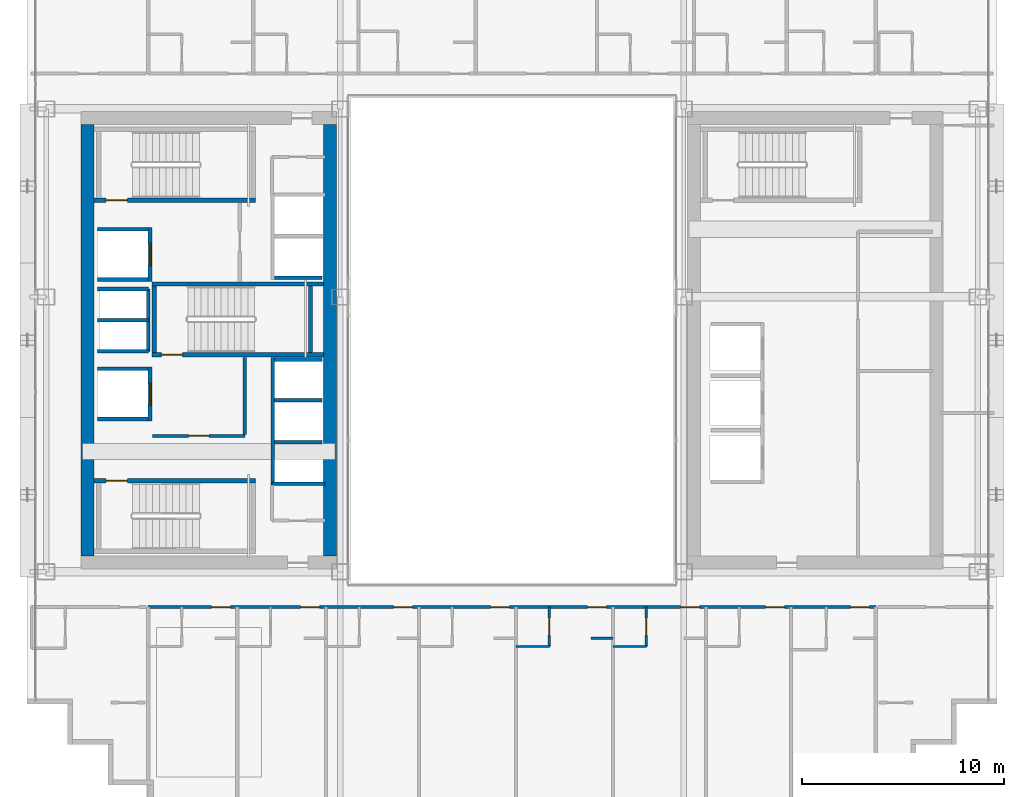
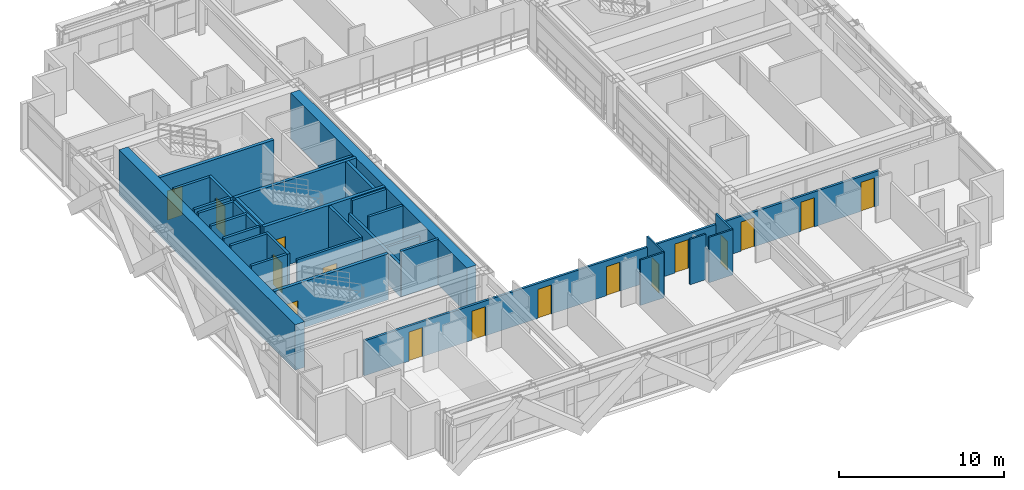
# One storey, part 32 of 39: 32 walls, 16 doors, 16 openings.
"""IFC4 building model written with IfcOpenShell, lengths in metres."""

from ifc_helpers import new_model, si_unit, direction, frame, frame_2d, origin, place, context, subcontext, project, spatial, rectangle, extrude, source, transform, mapped, material, layer, layer_set, type_object, element, fill, save


model = new_model("IFC4")

# Units and contexts
model_context = context("Model", 3, precision=1e-05, world=origin(), true_north=direction((0.0, 1.0)))
body_context = subcontext(model_context, "Body", "Model", "MODEL_VIEW")
ifc_project = project(units=[si_unit("LENGTHUNIT", "METRE"), si_unit("AREAUNIT", "SQUARE_METRE"), si_unit("VOLUMEUNIT", "CUBIC_METRE"), si_unit("PLANEANGLEUNIT", "RADIAN"), si_unit("MASSUNIT", "GRAM", prefix="KILO")], contexts=[model_context])

# Site, building, storey
site_placement = place(None, origin())
site = spatial("IfcSite", under=ifc_project, at=site_placement, CompositionType="ELEMENT")
building_placement = place(site_placement, origin())
building = spatial("IfcBuilding", under=site, at=building_placement, Name="Ocotamira Hotel", CompositionType="ELEMENT")
storey_placement = place(building_placement, frame((0.0, 0.0, 104.39990234375)))
storey = spatial("IfcBuildingStorey", under=building, at=storey_placement, Name="L25", CompositionType="ELEMENT", Elevation=104.39990234375)

# Walls
ifc_material_1 = material(Name="Concrete C60/75", Category="concrete")
ifc_layer_1 = layer(ifc_material_1, 0.64990234375)
ifc_layer_set_1 = layer_set([ifc_layer_1], Name="Concrete C60/75")
wall_type_1 = type_object("IfcWallType", Name="WL-CORE-650", PredefinedType="SHEAR", material=ifc_layer_set_1)
for number, where, z_axis, x_axis, name in (
    (1, (11.0, 15.324951171875, 0.0), (0.0, 0.0, 1.0), (0.0, 1.0, 0.0), "L25 Shear Core Wall WCORE-W"),
    (2, (23.0, 15.324951171875, 0.0), (0.0, 0.0, 1.0), (0.0, 1.0, 0.0), "L25 Shear Core Wall WCORE-E"),
):
    element("IfcWall", number, at=place(storey_placement, frame(where, z_axis=z_axis, x_axis=x_axis)), inside=storey, type_object=wall_type_1, Name=name, PredefinedType="SHEAR", context=body_context, shape_type="SweptSolid", body=[
        extrude(rectangle(XDim=21.35009765625, YDim=0.64990234375, at=frame_2d((10.675048828125, 0.0))), origin(), (0.0, 0.0, 1.0), 3.360107421875),
    ])

# Wall, opening, door
ifc_material_2 = material(Name="Acoustic double-layer fire gypsum board partition", Category="gypsum")
ifc_layer_2 = layer(ifc_material_2, 0.159912109375)
ifc_layer_set_2 = layer_set([ifc_layer_2], Name="Acoustic double-layer fire gypsum board partition")
wall_type_2 = type_object("IfcWallType", Name="WL-FIRE-160", PredefinedType="PARTITIONING", material=ifc_layer_set_2)
wall_1_placement = place(storey_placement, frame((14.199951171875, 21.27001953125, 0.0), z_axis=(0.0, 0.0, 1.0), x_axis=(1.0, 0.0, 0.0)))
wall_1 = element("IfcWall", 3, at=wall_1_placement, inside=storey, type_object=wall_type_2, Name="L25 Interior Wall PW-L25-FSAE1-S", PredefinedType="PARTITIONING", context=body_context, shape_type="SweptSolid", body=[
    extrude(rectangle(XDim=4.580078125, YDim=0.159912109375, at=frame_2d((2.2900390625, 0.0))), origin(), (0.0, 0.0, 1.0), 3.360107421875),
])
opening_1_placement = place(wall_1_placement, frame((1.800048828125, 0.0, 0.0)))
opening_1 = element("IfcOpeningElement", 4, at=opening_1_placement, cuts=wall_1, Name="Opening D-FR2", PredefinedType="OPENING", context=body_context, shape_type="SweptSolid", body=[
    extrude(rectangle(XDim=1.0, YDim=2.14990234375, at=frame_2d((0.5, 1.074951171875))), frame((0.0, 0.08984375, 0.0), z_axis=(0.0, -1.0, 0.0), x_axis=(1.0, 0.0, 0.0)), (0.0, 0.0, 1.0), 0.179931640625),
])
ifc_material_3 = material(Name="Fire-rated acoustic timber-veneer door", Category="wood")
door_type_1 = type_object("IfcDoorType", Name="DR-FIRE-1000", OperationType="NOTDEFINED", PredefinedType="DOOR", material=ifc_material_3)
shared_shape_1 = source(origin(), body_context, "Body", "SweptSolid", [
    extrude(rectangle(XDim=1.0, YDim=2.14990234375, at=frame_2d((0.5, 1.074951171875))), frame((0.0, 0.02490234375, 0.0), z_axis=(0.0, -1.0, 0.0), x_axis=(1.0, 0.0, 0.0)), (0.0, 0.0, 1.0), 0.050048828125),
])
door_1_placement = place(opening_1_placement, origin())
door_1 = element("IfcDoor", 5, at=door_1_placement, inside=storey, type_object=door_type_1, Name="L25 Door ID-L25-FSAE1-D [ID-L25-FSAE1-D]", OperationType="SINGLE_SWING_LEFT", OverallHeight=2.14990234375, OverallWidth=1.0, PredefinedType="DOOR", context=body_context, shape_type="MappedRepresentation", body=[
    mapped(shared_shape_1, transform((0.0, 0.0, 0.0), scale=1.0)),
])
fill(opening_1, door_1)

# Wall
wall_2_placement = place(storey_placement, frame((18.780029296875, 21.35009765625, 0.0), z_axis=(0.0, 0.0, 1.0), x_axis=(0.0, 1.0, 0.0)))
element("IfcWall", 6, at=wall_2_placement, inside=storey, type_object=wall_type_2, Name="L25 Interior Wall PW-L25-FSAE1-E", PredefinedType="PARTITIONING", context=body_context, shape_type="SweptSolid", body=[
    extrude(rectangle(XDim=3.809814453125, YDim=0.159912109375, at=frame_2d((1.90478515625, 0.0))), origin(), (0.0, 0.0, 1.0), 3.360107421875),
])

# Wall, openings, doors
wall_3_placement = place(storey_placement, frame((14.0, 12.800048828125, 0.0), z_axis=(0.0, 0.0, 1.0), x_axis=(1.0, 0.0, 0.0)))
wall_3 = element("IfcWall", 7, at=wall_3_placement, inside=storey, type_object=wall_type_2, Name="L25 Interior Wall PW-L25-Z2AS-CORRW", PredefinedType="PARTITIONING", context=body_context, shape_type="SweptSolid", body=[
    extrude(rectangle(XDim=36.0, YDim=0.159912109375, at=frame_2d((18.0, 0.0))), origin(), (0.0, 0.0, 1.0), 2.5810546875),
])
opening_2_placement = place(wall_3_placement, frame((3.139892578125, 0.0, 0.0)))
opening_2 = element("IfcOpeningElement", 8, at=opening_2_placement, cuts=wall_3, Name="Opening D-GR1", PredefinedType="OPENING", context=body_context, shape_type="SweptSolid", body=[
    extrude(rectangle(XDim=0.93994140625, YDim=2.14990234375, at=frame_2d((0.469970703125, 1.074951171875))), frame((0.0, 0.08984375, 0.0), z_axis=(0.0, -1.0, 0.0), x_axis=(1.0, 0.0, 0.0)), (0.0, 0.0, 1.0), 0.179931640625),
])
opening_3_placement = place(wall_3_placement, frame((7.5400390625, 0.0, 0.0)))
opening_3 = element("IfcOpeningElement", 9, at=opening_3_placement, cuts=wall_3, Name="Opening D-GR1", PredefinedType="OPENING", context=body_context, shape_type="SweptSolid", body=[
    extrude(rectangle(XDim=0.93994140625, YDim=2.14990234375, at=frame_2d((0.469970703125, 1.074951171875))), frame((0.0, 0.08984375, 0.0), z_axis=(0.0, -1.0, 0.0), x_axis=(1.0, 0.0, 0.0)), (0.0, 0.0, 1.0), 0.179931640625),
])
opening_4_placement = place(wall_3_placement, frame((12.139892578125, 0.0, 0.0)))
opening_4 = element("IfcOpeningElement", 10, at=opening_4_placement, cuts=wall_3, Name="Opening D-GR1", PredefinedType="OPENING", context=body_context, shape_type="SweptSolid", body=[
    extrude(rectangle(XDim=0.93994140625, YDim=2.14990234375, at=frame_2d((0.469970703125, 1.074951171875))), frame((0.0, 0.08984375, 0.0), z_axis=(0.0, -1.0, 0.0), x_axis=(1.0, 0.0, 0.0)), (0.0, 0.0, 1.0), 0.179931640625),
])
opening_5_placement = place(wall_3_placement, frame((16.93994140625, 0.0, 0.0)))
opening_5 = element("IfcOpeningElement", 11, at=opening_5_placement, cuts=wall_3, Name="Opening D-GR1", PredefinedType="OPENING", context=body_context, shape_type="SweptSolid", body=[
    extrude(rectangle(XDim=0.93994140625, YDim=2.14990234375, at=frame_2d((0.469970703125, 1.074951171875))), frame((0.0, 0.08984375, 0.0), z_axis=(0.0, -1.0, 0.0), x_axis=(1.0, 0.0, 0.0)), (0.0, 0.0, 1.0), 0.179931640625),
])
opening_6_placement = place(wall_3_placement, frame((21.739990234375, 0.0, 0.0)))
opening_6 = element("IfcOpeningElement", 12, at=opening_6_placement, cuts=wall_3, Name="Opening D-GR1", PredefinedType="OPENING", context=body_context, shape_type="SweptSolid", body=[
    extrude(rectangle(XDim=0.93994140625, YDim=2.14990234375, at=frame_2d((0.469970703125, 1.074951171875))), frame((0.0, 0.08984375, 0.0), z_axis=(0.0, -1.0, 0.0), x_axis=(1.0, 0.0, 0.0)), (0.0, 0.0, 1.0), 0.179931640625),
])
opening_7_placement = place(wall_3_placement, frame((26.340087890625, 0.0, 0.0)))
opening_7 = element("IfcOpeningElement", 13, at=opening_7_placement, cuts=wall_3, Name="Opening D-GR1", PredefinedType="OPENING", context=body_context, shape_type="SweptSolid", body=[
    extrude(rectangle(XDim=0.93994140625, YDim=2.14990234375, at=frame_2d((0.469970703125, 1.074951171875))), frame((0.0, 0.08984375, 0.0), z_axis=(0.0, -1.0, 0.0), x_axis=(1.0, 0.0, 0.0)), (0.0, 0.0, 1.0), 0.179931640625),
])
opening_8_placement = place(wall_3_placement, frame((30.5400390625, 0.0, 0.0)))
opening_8 = element("IfcOpeningElement", 14, at=opening_8_placement, cuts=wall_3, Name="Opening D-GR1", PredefinedType="OPENING", context=body_context, shape_type="SweptSolid", body=[
    extrude(rectangle(XDim=0.93994140625, YDim=2.14990234375, at=frame_2d((0.469970703125, 1.074951171875))), frame((0.0, 0.08984375, 0.0), z_axis=(0.0, -1.0, 0.0), x_axis=(1.0, 0.0, 0.0)), (0.0, 0.0, 1.0), 0.179931640625),
])
opening_9_placement = place(wall_3_placement, frame((34.739990234375, 0.0, 0.0)))
opening_9 = element("IfcOpeningElement", 15, at=opening_9_placement, cuts=wall_3, Name="Opening D-GR1", PredefinedType="OPENING", context=body_context, shape_type="SweptSolid", body=[
    extrude(rectangle(XDim=0.93994140625, YDim=2.14990234375, at=frame_2d((0.469970703125, 1.074951171875))), frame((0.0, 0.08984375, 0.0), z_axis=(0.0, -1.0, 0.0), x_axis=(1.0, 0.0, 0.0)), (0.0, 0.0, 1.0), 0.179931640625),
])
ifc_material_4 = material(Name="Solid-core walnut suite entrance fire door", Category="wood")
door_type_2 = type_object("IfcDoorType", Name="DR-GUEST-940", OperationType="NOTDEFINED", PredefinedType="DOOR", material=ifc_material_4)
shared_shape_2 = source(origin(), body_context, "Body", "SweptSolid", [
    extrude(rectangle(XDim=0.93994140625, YDim=2.14990234375, at=frame_2d((0.469970703125, 1.074951171875))), frame((0.0, 0.02490234375, 0.0), z_axis=(0.0, -1.0, 0.0), x_axis=(1.0, 0.0, 0.0)), (0.0, 0.0, 1.0), 0.050048828125),
])
door_2_placement = place(opening_2_placement, origin())
door_2 = element("IfcDoor", 16, at=door_2_placement, inside=storey, type_object=door_type_2, Name="L25 Door ID-L25-Z2AS-RMD1 [ID-L25-Z2AS-RMD1]", OperationType="SINGLE_SWING_LEFT", OverallHeight=2.14990234375, OverallWidth=0.93994140625, PredefinedType="DOOR", context=body_context, shape_type="MappedRepresentation", body=[
    mapped(shared_shape_2, transform((0.0, 0.0, 0.0), scale=1.0)),
])
fill(opening_2, door_2)
door_3_placement = place(opening_3_placement, origin())
door_3 = element("IfcDoor", 17, at=door_3_placement, inside=storey, type_object=door_type_2, Name="L25 Door ID-L25-Z2AS-RMD2 [ID-L25-Z2AS-RMD2]", OperationType="SINGLE_SWING_RIGHT", OverallHeight=2.14990234375, OverallWidth=0.93994140625, PredefinedType="DOOR", context=body_context, shape_type="MappedRepresentation", body=[
    mapped(shared_shape_2, transform((0.0, 0.0, 0.0), scale=1.0)),
])
fill(opening_3, door_3)
door_4_placement = place(opening_4_placement, origin())
door_4 = element("IfcDoor", 18, at=door_4_placement, inside=storey, type_object=door_type_2, Name="L25 Door ID-L25-Z2AS-RMD3 [ID-L25-Z2AS-RMD3]", OperationType="SINGLE_SWING_LEFT", OverallHeight=2.14990234375, OverallWidth=0.93994140625, PredefinedType="DOOR", context=body_context, shape_type="MappedRepresentation", body=[
    mapped(shared_shape_2, transform((0.0, 0.0, 0.0), scale=1.0)),
])
fill(opening_4, door_4)
door_5_placement = place(opening_5_placement, origin())
door_5 = element("IfcDoor", 19, at=door_5_placement, inside=storey, type_object=door_type_2, Name="L25 Door ID-L25-Z2AS-RMD4 [ID-L25-Z2AS-RMD4]", OperationType="SINGLE_SWING_RIGHT", OverallHeight=2.14990234375, OverallWidth=0.93994140625, PredefinedType="DOOR", context=body_context, shape_type="MappedRepresentation", body=[
    mapped(shared_shape_2, transform((0.0, 0.0, 0.0), scale=1.0)),
])
fill(opening_5, door_5)
door_6_placement = place(opening_6_placement, origin())
door_6 = element("IfcDoor", 20, at=door_6_placement, inside=storey, type_object=door_type_2, Name="L25 Door ID-L25-Z2AS-RMD5 [ID-L25-Z2AS-RMD5]", OperationType="SINGLE_SWING_LEFT", OverallHeight=2.14990234375, OverallWidth=0.93994140625, PredefinedType="DOOR", context=body_context, shape_type="MappedRepresentation", body=[
    mapped(shared_shape_2, transform((0.0, 0.0, 0.0), scale=1.0)),
])
fill(opening_6, door_6)
door_7_placement = place(opening_7_placement, origin())
door_7 = element("IfcDoor", 21, at=door_7_placement, inside=storey, type_object=door_type_2, Name="L25 Door ID-L25-Z2AS-RMD6 [ID-L25-Z2AS-RMD6]", OperationType="SINGLE_SWING_RIGHT", OverallHeight=2.14990234375, OverallWidth=0.93994140625, PredefinedType="DOOR", context=body_context, shape_type="MappedRepresentation", body=[
    mapped(shared_shape_2, transform((0.0, 0.0, 0.0), scale=1.0)),
])
fill(opening_7, door_7)
door_8_placement = place(opening_8_placement, origin())
door_8 = element("IfcDoor", 22, at=door_8_placement, inside=storey, type_object=door_type_2, Name="L25 Door ID-L25-Z2AS-RMD7 [ID-L25-Z2AS-RMD7]", OperationType="SINGLE_SWING_LEFT", OverallHeight=2.14990234375, OverallWidth=0.93994140625, PredefinedType="DOOR", context=body_context, shape_type="MappedRepresentation", body=[
    mapped(shared_shape_2, transform((0.0, 0.0, 0.0), scale=1.0)),
])
fill(opening_8, door_8)
door_9_placement = place(opening_9_placement, origin())
door_9 = element("IfcDoor", 23, at=door_9_placement, inside=storey, type_object=door_type_2, Name="L25 Door ID-L25-Z2AS-RMD8 [ID-L25-Z2AS-RMD8]", OperationType="SINGLE_SWING_RIGHT", OverallHeight=2.14990234375, OverallWidth=0.93994140625, PredefinedType="DOOR", context=body_context, shape_type="MappedRepresentation", body=[
    mapped(shared_shape_2, transform((0.0, 0.0, 0.0), scale=1.0)),
])
fill(opening_9, door_9)

# Wall, opening, door
ifc_material_5 = material(Name="Moisture-resistant en-suite tile and gypsum partition", Category="gypsum")
ifc_layer_3 = layer(ifc_material_5, 0.1201171875)
ifc_layer_set_3 = layer_set([ifc_layer_3], Name="Moisture-resistant en-suite tile and gypsum partition")
wall_type_3 = type_object("IfcWallType", Name="WL-PART-120", PredefinedType="PARTITIONING", material=ifc_layer_set_3)
wall_4_placement = place(storey_placement, frame((33.85009765625, 10.85009765625, 0.0), z_axis=(0.0, 0.0, 1.0), x_axis=(0.0, 1.0, 0.0)))
wall_4 = element("IfcWall", 24, at=wall_4_placement, inside=storey, type_object=wall_type_3, Name="L25 Interior Wall PW-L25-Z2AS-BAE5", PredefinedType="PARTITIONING", context=body_context, shape_type="SweptSolid", body=[
    extrude(rectangle(XDim=1.949951171875, YDim=0.1201171875, at=frame_2d((0.97509765625, 0.0))), origin(), (0.0, 0.0, 1.0), 3.360107421875),
])
opening_10_placement = place(wall_4_placement, frame((0.544921875, 0.0, 0.0)))
opening_10 = element("IfcOpeningElement", 25, at=opening_10_placement, cuts=wall_4, Name="Opening D-BA1", PredefinedType="OPENING", context=body_context, shape_type="SweptSolid", body=[
    extrude(rectangle(XDim=0.860107421875, YDim=2.10009765625, at=frame_2d((0.43017578125, 1.050048828125))), frame((0.0, 0.070068359375, 0.0), z_axis=(0.0, -1.0, 0.0), x_axis=(1.0, 0.0, 0.0)), (0.0, 0.0, 1.0), 0.14013671875),
])
ifc_material_6 = material(Name="Moisture-sealed en-suite timber door", Category="wood")
door_type_3 = type_object("IfcDoorType", Name="DR-BATH-860", OperationType="NOTDEFINED", PredefinedType="DOOR", material=ifc_material_6)
shared_shape_3 = source(origin(), body_context, "Body", "SweptSolid", [
    extrude(rectangle(XDim=0.860107421875, YDim=2.10009765625, at=frame_2d((0.43017578125, 1.050048828125))), frame((0.0, 0.02490234375, 0.0), z_axis=(0.0, -1.0, 0.0), x_axis=(1.0, 0.0, 0.0)), (0.0, 0.0, 1.0), 0.050048828125),
])
door_10_placement = place(opening_10_placement, origin())
door_10 = element("IfcDoor", 26, at=door_10_placement, inside=storey, type_object=door_type_3, Name="L25 Door ID-L25-Z2AS-BAD5 [ID-L25-Z2AS-BAD5]", OperationType="SINGLE_SWING_RIGHT", OverallHeight=2.10009765625, OverallWidth=0.860107421875, PredefinedType="DOOR", context=body_context, shape_type="MappedRepresentation", body=[
    mapped(shared_shape_3, transform((0.0, 0.0, 0.0), scale=1.0)),
])
fill(opening_10, door_10)

# Walls
wall_5_placement = place(storey_placement, frame((32.199951171875, 10.85009765625, 0.0), z_axis=(0.0, 0.0, 1.0), x_axis=(1.0, 0.0, 0.0)))
element("IfcWall", 27, at=wall_5_placement, inside=storey, type_object=wall_type_3, Name="L25 Interior Wall PW-L25-Z2AS-BAS5", PredefinedType="PARTITIONING", context=body_context, shape_type="SweptSolid", body=[
    extrude(rectangle(XDim=1.650146484375, YDim=0.1201171875, at=frame_2d((0.8251953125, 0.0))), origin(), (0.0, 0.0, 1.0), 3.360107421875),
])
wall_6_placement = place(storey_placement, frame((35.89990234375, 11.25, 0.0), z_axis=(0.0, 0.0, 1.0), x_axis=(1.0, 0.0, 0.0)))
element("IfcWall", 28, at=wall_6_placement, inside=storey, type_object=wall_type_3, Name="L25 Interior Wall PW-L25-Z2AS-DRN5", PredefinedType="PARTITIONING", context=body_context, shape_type="SweptSolid", body=[
    extrude(rectangle(XDim=1.10009765625, YDim=0.1201171875, at=frame_2d((0.550048828125, 0.0))), origin(), (0.0, 0.0, 1.0), 3.360107421875),
])

# Wall, opening, door
wall_7_placement = place(storey_placement, frame((38.64990234375, 10.85009765625, 0.0), z_axis=(0.0, 0.0, 1.0), x_axis=(0.0, 1.0, 0.0)))
wall_7 = element("IfcWall", 29, at=wall_7_placement, inside=storey, type_object=wall_type_3, Name="L25 Interior Wall PW-L25-Z2AS-BAE6", PredefinedType="PARTITIONING", context=body_context, shape_type="SweptSolid", body=[
    extrude(rectangle(XDim=1.949951171875, YDim=0.1201171875, at=frame_2d((0.97509765625, 0.0))), origin(), (0.0, 0.0, 1.0), 3.360107421875),
])
opening_11_placement = place(wall_7_placement, frame((0.544921875, 0.0, 0.0)))
opening_11 = element("IfcOpeningElement", 30, at=opening_11_placement, cuts=wall_7, Name="Opening D-BA1", PredefinedType="OPENING", context=body_context, shape_type="SweptSolid", body=[
    extrude(rectangle(XDim=0.860107421875, YDim=2.10009765625, at=frame_2d((0.43017578125, 1.050048828125))), frame((0.0, 0.070068359375, 0.0), z_axis=(0.0, -1.0, 0.0), x_axis=(1.0, 0.0, 0.0)), (0.0, 0.0, 1.0), 0.14013671875),
])
door_11_placement = place(opening_11_placement, origin())
door_11 = element("IfcDoor", 31, at=door_11_placement, inside=storey, type_object=door_type_3, Name="L25 Door ID-L25-Z2AS-BAD6 [ID-L25-Z2AS-BAD6]", OperationType="SINGLE_SWING_LEFT", OverallHeight=2.10009765625, OverallWidth=0.860107421875, PredefinedType="DOOR", context=body_context, shape_type="MappedRepresentation", body=[
    mapped(shared_shape_3, transform((0.0, 0.0, 0.0), scale=1.0)),
])
fill(opening_11, door_11)

# Walls
wall_8_placement = place(storey_placement, frame((37.0, 10.85009765625, 0.0), z_axis=(0.0, 0.0, 1.0), x_axis=(1.0, 0.0, 0.0)))
element("IfcWall", 32, at=wall_8_placement, inside=storey, type_object=wall_type_3, Name="L25 Interior Wall PW-L25-Z2AS-BAS6", PredefinedType="PARTITIONING", context=body_context, shape_type="SweptSolid", body=[
    extrude(rectangle(XDim=1.64990234375, YDim=0.1201171875, at=frame_2d((0.824951171875, 0.0))), origin(), (0.0, 0.0, 1.0), 3.360107421875),
])
ifc_material_7 = material(Name="Fire-rated gypsum shaftliner board assembly", Category="gypsum")
ifc_layer_4 = layer(ifc_material_7, 0.179931640625)
ifc_layer_set_4 = layer_set([ifc_layer_4], Name="Fire-rated gypsum shaftliner board assembly")
wall_type_4 = type_object("IfcWallType", Name="WL-SHAFT-180", PredefinedType="SOLIDWALL", material=ifc_layer_set_4)
wall_9_placement = place(storey_placement, frame((20.159912109375, 18.820068359375, 0.0), z_axis=(0.0, 0.0, 1.0), x_axis=(0.0, 1.0, 0.0)))
element("IfcWall", 33, at=wall_9_placement, inside=storey, type_object=wall_type_4, Name="L25 Interior Wall PW-L25-LFW-BANK-high-F", PredefinedType="SOLIDWALL", context=body_context, shape_type="SweptSolid", body=[
    extrude(rectangle(XDim=6.31982421875, YDim=0.179931640625, at=frame_2d((3.159912109375, 0.0))), origin(), (0.0, 0.0, 1.0), 2.360107421875),
])
wall_10_placement = place(storey_placement, frame((20.1201171875, 18.909912109375, 0.0), z_axis=(0.0, 0.0, 1.0), x_axis=(1.0, 0.0, 0.0)))
element("IfcWall", 34, at=wall_10_placement, inside=storey, type_object=wall_type_4, Name="L25 Interior Wall PW-L25-LFW-BANK-high-S", PredefinedType="SOLIDWALL", context=body_context, shape_type="SweptSolid", body=[
    extrude(rectangle(XDim=2.6298828125, YDim=0.179931640625, at=frame_2d((1.31494140625, 0.0))), origin(), (0.0, 0.0, 1.0), 3.360107421875),
])
wall_11_placement = place(storey_placement, frame((20.25, 25.050048828125, 0.0), z_axis=(0.0, 0.0, 1.0), x_axis=(1.0, 0.0, 0.0)))
element("IfcWall", 35, at=wall_11_placement, inside=storey, type_object=wall_type_4, Name="L25 Interior Wall PW-L25-LFW-BANK-high-N", PredefinedType="SOLIDWALL", context=body_context, shape_type="SweptSolid", body=[
    extrude(rectangle(XDim=2.360107421875, YDim=0.179931640625, at=frame_2d((1.18017578125, 0.0))), origin(), (0.0, 0.0, 1.0), 3.360107421875),
])
wall_12_placement = place(storey_placement, frame((20.25, 20.965087890625, 0.0), z_axis=(0.0, 0.0, 1.0), x_axis=(1.0, 0.0, 0.0)))
element("IfcWall", 36, at=wall_12_placement, inside=storey, type_object=wall_type_4, Name="L25 Interior Wall PW-L25-LFW-DIV-LF-P7", PredefinedType="SOLIDWALL", context=body_context, shape_type="SweptSolid", body=[
    extrude(rectangle(XDim=2.360107421875, YDim=0.179931640625, at=frame_2d((1.18017578125, 0.0))), origin(), (0.0, 0.0, 1.0), 2.360107421875),
])
for number, where, z_axis, x_axis, name in (
    (37, (20.25, 23.044921875, 0.0), (0.0, 0.0, 1.0), (1.0, 0.0, 0.0), "L25 Interior Wall PW-L25-LFW-DIV-LF-P8"),
    (38, (20.25, 29.090087890625, 0.0), (0.0, 0.0, 1.0), (1.0, 0.0, 0.0), "L25 Interior Wall PW-L25-LFW-BANK-obs-S"),
):
    element("IfcWall", number, at=place(storey_placement, frame(where, z_axis=z_axis, x_axis=x_axis)), inside=storey, type_object=wall_type_4, Name=name, PredefinedType="SOLIDWALL", context=body_context, shape_type="SweptSolid", body=[
        extrude(rectangle(XDim=2.360107421875, YDim=0.179931640625, at=frame_2d((1.18017578125, 0.0))), origin(), (0.0, 0.0, 1.0), 3.360107421875),
    ])
for number, where, z_axis, x_axis, name in (
    (39, (11.5, 22.110107421875, 0.0), (0.0, 0.0, 1.0), (1.0, 0.0, 0.0), "L25 Interior Wall PW-L25-LFW-LF-FSAE1-S"),
    (40, (11.5, 24.590087890625, 0.0), (0.0, 0.0, 1.0), (1.0, 0.0, 0.0), "L25 Interior Wall PW-L25-LFW-LF-FSAE1-N"),
):
    element("IfcWall", number, at=place(storey_placement, frame(where, z_axis=z_axis, x_axis=x_axis)), inside=storey, type_object=wall_type_4, Name=name, PredefinedType="SOLIDWALL", context=body_context, shape_type="SweptSolid", body=[
        extrude(rectangle(XDim=2.5, YDim=0.179931640625, at=frame_2d((1.25, 0.0))), origin(), (0.0, 0.0, 1.0), 3.360107421875),
    ])

# Wall, opening, door
wall_13_placement = place(storey_placement, frame((14.090087890625, 22.02001953125, 0.0), z_axis=(0.0, 0.0, 1.0), x_axis=(0.0, 1.0, 0.0)))
wall_13 = element("IfcWall", 41, at=wall_13_placement, inside=storey, type_object=wall_type_4, Name="L25 Interior Wall PW-L25-LFW-LF-FSAE1-E", PredefinedType="SOLIDWALL", context=body_context, shape_type="SweptSolid", body=[
    extrude(rectangle(XDim=2.659912109375, YDim=0.179931640625, at=frame_2d((1.330078125, 0.0))), origin(), (0.0, 0.0, 1.0), 3.360107421875),
])
opening_12_placement = place(wall_13_placement, frame((0.780029296875, 0.0, 0.0)))
opening_12 = element("IfcOpeningElement", 42, at=opening_12_placement, cuts=wall_13, Name="Opening LD-LF-FSAE1", PredefinedType="OPENING", context=body_context, shape_type="SweptSolid", body=[
    extrude(rectangle(XDim=1.10009765625, YDim=2.199951171875, at=frame_2d((0.550048828125, 1.10009765625))), frame((0.0, 0.10009765625, 0.0), z_axis=(0.0, -1.0, 0.0), x_axis=(1.0, 0.0, 0.0)), (0.0, 0.0, 1.0), 0.199951171875),
])
ifc_material_8 = material(Name="Brushed pale-metal stainless elevator landing door", Category="steel")
door_type_4 = type_object("IfcDoorType", Name="DR-LIFT-1100", OperationType="NOTDEFINED", PredefinedType="DOOR", material=ifc_material_8)
shared_shape_4 = source(origin(), body_context, "Body", "SweptSolid", [
    extrude(rectangle(XDim=1.10009765625, YDim=2.199951171875, at=frame_2d((0.550048828125, 1.10009765625))), frame((0.0, 0.02490234375, 0.0), z_axis=(0.0, -1.0, 0.0), x_axis=(1.0, 0.0, 0.0)), (0.0, 0.0, 1.0), 0.050048828125),
])
door_12_placement = place(opening_12_placement, origin())
door_12 = element("IfcDoor", 43, at=door_12_placement, inside=storey, type_object=door_type_4, Name="L25 Landing Door LD-LF-FSAE1 [ID-L25-LD-LF-FSAE1]", OperationType="DOUBLE_DOOR_SLIDING", OverallHeight=2.199951171875, OverallWidth=1.10009765625, PredefinedType="DOOR", context=body_context, shape_type="MappedRepresentation", body=[
    mapped(shared_shape_4, transform((0.0, 0.0, 0.0), scale=1.0)),
])
fill(opening_12, door_12)

# Walls
for number, where, z_axis, x_axis, name in (
    (44, (11.5, 29.010009765625, 0.0), (0.0, 0.0, 1.0), (1.0, 0.0, 0.0), "L25 Interior Wall PW-L25-LFW-LF-FSAE2-S"),
    (45, (11.5, 31.489990234375, 0.0), (0.0, 0.0, 1.0), (1.0, 0.0, 0.0), "L25 Interior Wall PW-L25-LFW-LF-FSAE2-N"),
):
    element("IfcWall", number, at=place(storey_placement, frame(where, z_axis=z_axis, x_axis=x_axis)), inside=storey, type_object=wall_type_4, Name=name, PredefinedType="SOLIDWALL", context=body_context, shape_type="SweptSolid", body=[
        extrude(rectangle(XDim=2.5, YDim=0.179931640625, at=frame_2d((1.25, 0.0))), origin(), (0.0, 0.0, 1.0), 3.360107421875),
    ])

# Wall, opening, door
wall_14_placement = place(storey_placement, frame((14.090087890625, 28.919921875, 0.0), z_axis=(0.0, 0.0, 1.0), x_axis=(0.0, 1.0, 0.0)))
wall_14 = element("IfcWall", 46, at=wall_14_placement, inside=storey, type_object=wall_type_4, Name="L25 Interior Wall PW-L25-LFW-LF-FSAE2-E", PredefinedType="SOLIDWALL", context=body_context, shape_type="SweptSolid", body=[
    extrude(rectangle(XDim=2.66015625, YDim=0.179931640625, at=frame_2d((1.330078125, 0.0))), origin(), (0.0, 0.0, 1.0), 3.360107421875),
])
opening_13_placement = place(wall_14_placement, frame((0.780029296875, 0.0, 0.0)))
opening_13 = element("IfcOpeningElement", 47, at=opening_13_placement, cuts=wall_14, Name="Opening LD-LF-FSAE2", PredefinedType="OPENING", context=body_context, shape_type="SweptSolid", body=[
    extrude(rectangle(XDim=1.10009765625, YDim=2.199951171875, at=frame_2d((0.550048828125, 1.10009765625))), frame((0.0, 0.10009765625, 0.0), z_axis=(0.0, -1.0, 0.0), x_axis=(1.0, 0.0, 0.0)), (0.0, 0.0, 1.0), 0.199951171875),
])
door_13_placement = place(opening_13_placement, origin())
door_13 = element("IfcDoor", 48, at=door_13_placement, inside=storey, type_object=door_type_4, Name="L25 Landing Door LD-LF-FSAE2 [ID-L25-LD-LF-FSAE2]", OperationType="DOUBLE_DOOR_SLIDING", OverallHeight=2.199951171875, OverallWidth=1.10009765625, PredefinedType="DOOR", context=body_context, shape_type="MappedRepresentation", body=[
    mapped(shared_shape_4, transform((0.0, 0.0, 0.0), scale=1.0)),
])
fill(opening_13, door_13)

# Walls
for number, where, z_axis, x_axis, name in (
    (49, (11.5, 25.4599609375, 0.0), (0.0, 0.0, 1.0), (1.0, 0.0, 0.0), "L25 Interior Wall PW-L25-RSW-S"),
    (50, (11.5, 27.0, 0.0), (0.0, 0.0, 1.0), (1.0, 0.0, 0.0), "L25 Interior Wall PW-L25-RSW-MID"),
    (51, (11.5, 28.5400390625, 0.0), (0.0, 0.0, 1.0), (1.0, 0.0, 0.0), "L25 Interior Wall PW-L25-RSW-N"),
):
    element("IfcWall", number, at=place(storey_placement, frame(where, z_axis=z_axis, x_axis=x_axis)), inside=storey, type_object=wall_type_4, Name=name, PredefinedType="SOLIDWALL", context=body_context, shape_type="SweptSolid", body=[
        extrude(rectangle(XDim=2.510009765625, YDim=0.179931640625, at=frame_2d((1.2548828125, 0.0))), origin(), (0.0, 0.0, 1.0), 3.360107421875),
    ])
wall_15_placement = place(storey_placement, frame((14.010009765625, 25.4599609375, 0.0), z_axis=(0.0, 0.0, 1.0), x_axis=(0.0, 1.0, 0.0)))
element("IfcWall", 52, at=wall_15_placement, inside=storey, type_object=wall_type_4, Name="L25 Interior Wall PW-L25-RSW-E", PredefinedType="SOLIDWALL", context=body_context, shape_type="SweptSolid", body=[
    extrude(rectangle(XDim=3.080078125, YDim=0.179931640625, at=frame_2d((1.5400390625, 0.0))), origin(), (0.0, 0.0, 1.0), 3.360107421875),
])

# Wall, opening, door
ifc_material_9 = material(Name="Concrete C50/60", Category="concrete")
ifc_layer_5 = layer(ifc_material_9, 0.219970703125)
ifc_layer_set_5 = layer_set([ifc_layer_5], Name="Concrete C50/60")
wall_type_5 = type_object("IfcWallType", Name="WL-STAIR-220", PredefinedType="SHEAR", material=ifc_layer_set_5)
wall_16_placement = place(storey_placement, frame((11.324951171875, 19.06005859375, 0.0), z_axis=(0.0, 0.0, 1.0), x_axis=(1.0, 0.0, 0.0)))
wall_16 = element("IfcWall", 53, at=wall_16_placement, inside=storey, type_object=wall_type_5, Name="L25 Stair Shaft Structural Wall ST-1-N", PredefinedType="SHEAR", context=body_context, shape_type="SweptSolid", body=[
    extrude(rectangle(XDim=7.985107421875, YDim=0.219970703125, at=frame_2d((3.99267578125, 0.0))), origin(), (0.0, 0.0, 1.0), 3.400146484375),
])
opening_14_placement = place(wall_16_placement, frame((0.594970703125, 0.0, 0.0)))
opening_14 = element("IfcOpeningElement", 54, at=opening_14_placement, cuts=wall_16, Name="Opening D-ST2", PredefinedType="OPENING", context=body_context, shape_type="SweptSolid", body=[
    extrude(rectangle(XDim=1.050048828125, YDim=2.14990234375, at=frame_2d((0.52490234375, 1.074951171875))), frame((0.0, 0.1201171875, 0.0), z_axis=(0.0, -1.0, 0.0), x_axis=(1.0, 0.0, 0.0)), (0.0, 0.0, 1.0), 0.239990234375),
])
ifc_material_10 = material(Name="Insulated painted hollow-metal fire exit door", Category="steel")
door_type_5 = type_object("IfcDoorType", Name="DR-STAIR-1050", OperationType="NOTDEFINED", PredefinedType="DOOR", material=ifc_material_10)
shared_shape_5 = source(origin(), body_context, "Body", "SweptSolid", [
    extrude(rectangle(XDim=1.050048828125, YDim=2.14990234375, at=frame_2d((0.52490234375, 1.074951171875))), frame((0.0, 0.02490234375, 0.0), z_axis=(0.0, -1.0, 0.0), x_axis=(1.0, 0.0, 0.0)), (0.0, 0.0, 1.0), 0.050048828125),
])
door_14_placement = place(opening_14_placement, origin())
door_14 = element("IfcDoor", 55, at=door_14_placement, inside=storey, type_object=door_type_5, Name="L25 Door ID-L25-STD-ST-1 [ID-L25-STD-ST-1]", OperationType="SINGLE_SWING_RIGHT", OverallHeight=2.14990234375, OverallWidth=1.050048828125, PredefinedType="DOOR", context=body_context, shape_type="MappedRepresentation", body=[
    mapped(shared_shape_5, transform((0.0, 0.0, 0.0), scale=1.0)),
])
fill(opening_14, door_14)

wall_17_placement = place(storey_placement, frame((11.324951171875, 32.93994140625, 0.0), z_axis=(0.0, 0.0, 1.0), x_axis=(1.0, 0.0, 0.0)))
wall_17 = element("IfcWall", 56, at=wall_17_placement, inside=storey, type_object=wall_type_5, Name="L25 Stair Shaft Structural Wall ST-2-S", PredefinedType="SHEAR", context=body_context, shape_type="SweptSolid", body=[
    extrude(rectangle(XDim=7.985107421875, YDim=0.219970703125, at=frame_2d((3.99267578125, 0.0))), origin(), (0.0, 0.0, 1.0), 3.400146484375),
])
opening_15_placement = place(wall_17_placement, frame((0.594970703125, 0.0, 0.0)))
opening_15 = element("IfcOpeningElement", 57, at=opening_15_placement, cuts=wall_17, Name="Opening D-ST2", PredefinedType="OPENING", context=body_context, shape_type="SweptSolid", body=[
    extrude(rectangle(XDim=1.050048828125, YDim=2.14990234375, at=frame_2d((0.52490234375, 1.074951171875))), frame((0.0, 0.1201171875, 0.0), z_axis=(0.0, -1.0, 0.0), x_axis=(1.0, 0.0, 0.0)), (0.0, 0.0, 1.0), 0.239990234375),
])
door_15_placement = place(opening_15_placement, origin())
door_15 = element("IfcDoor", 58, at=door_15_placement, inside=storey, type_object=door_type_5, Name="L25 Door ID-L25-STD-ST-2 [ID-L25-STD-ST-2]", OperationType="SINGLE_SWING_LEFT", OverallHeight=2.14990234375, OverallWidth=1.050048828125, PredefinedType="DOOR", context=body_context, shape_type="MappedRepresentation", body=[
    mapped(shared_shape_5, transform((0.0, 0.0, 0.0), scale=1.0)),
])
fill(opening_15, door_15)

wall_18_placement = place(storey_placement, frame((14.179931640625, 25.2900390625, 0.0), z_axis=(0.0, 0.0, 1.0), x_axis=(1.0, 0.0, 0.0)))
wall_18 = element("IfcWall", 59, at=wall_18_placement, inside=storey, type_object=wall_type_5, Name="L25 Stair Shaft Structural Wall ST-3-S", PredefinedType="SHEAR", context=body_context, shape_type="SweptSolid", body=[
    extrude(rectangle(XDim=8.4951171875, YDim=0.219970703125, at=frame_2d((4.24755859375, 0.0))), origin(), (0.0, 0.0, 1.0), 3.400146484375),
])
opening_16_placement = place(wall_18_placement, frame((0.469970703125, 0.0, 0.0)))
opening_16 = element("IfcOpeningElement", 60, at=opening_16_placement, cuts=wall_18, Name="Opening D-ST2", PredefinedType="OPENING", context=body_context, shape_type="SweptSolid", body=[
    extrude(rectangle(XDim=1.050048828125, YDim=2.14990234375, at=frame_2d((0.52490234375, 1.074951171875))), frame((0.0, 0.1201171875, 0.0), z_axis=(0.0, -1.0, 0.0), x_axis=(1.0, 0.0, 0.0)), (0.0, 0.0, 1.0), 0.239990234375),
])
door_16_placement = place(opening_16_placement, origin())
door_16 = element("IfcDoor", 61, at=door_16_placement, inside=storey, type_object=door_type_5, Name="L25 Door ID-L25-STD-ST-3 [ID-L25-STD-ST-3]", OperationType="SINGLE_SWING_RIGHT", OverallHeight=2.14990234375, OverallWidth=1.050048828125, PredefinedType="DOOR", context=body_context, shape_type="MappedRepresentation", body=[
    mapped(shared_shape_5, transform((0.0, 0.0, 0.0), scale=1.0)),
])
fill(opening_16, door_16)

# Walls
wall_19_placement = place(storey_placement, frame((14.179931640625, 28.7900390625, 0.0), z_axis=(0.0, 0.0, 1.0), x_axis=(1.0, 0.0, 0.0)))
element("IfcWall", 62, at=wall_19_placement, inside=storey, type_object=wall_type_5, Name="L25 Stair Shaft Structural Wall ST-3-N", PredefinedType="SHEAR", context=body_context, shape_type="SweptSolid", body=[
    extrude(rectangle(XDim=8.4951171875, YDim=0.219970703125, at=frame_2d((4.24755859375, 0.0))), origin(), (0.0, 0.0, 1.0), 3.400146484375),
])
for number, where, z_axis, x_axis, name in (
    (63, (14.2900390625, 25.39990234375, 0.0), (0.0, 0.0, 1.0), (0.0, 1.0, 0.0), "L25 Stair Shaft Structural Wall ST-3-W"),
    (64, (22.030029296875, 25.39990234375, 0.0), (0.0, 0.0, 1.0), (0.0, 1.0, 0.0), "L25 Stair Shaft Structural Wall ST-3-E"),
):
    element("IfcWall", number, at=place(storey_placement, frame(where, z_axis=z_axis, x_axis=x_axis)), inside=storey, type_object=wall_type_5, Name=name, PredefinedType="SHEAR", context=body_context, shape_type="SweptSolid", body=[
        extrude(rectangle(XDim=3.280029296875, YDim=0.219970703125, at=frame_2d((1.64013671875, 0.0))), origin(), (0.0, 0.0, 1.0), 3.400146484375),
    ])

save(model, "model.ifc")
